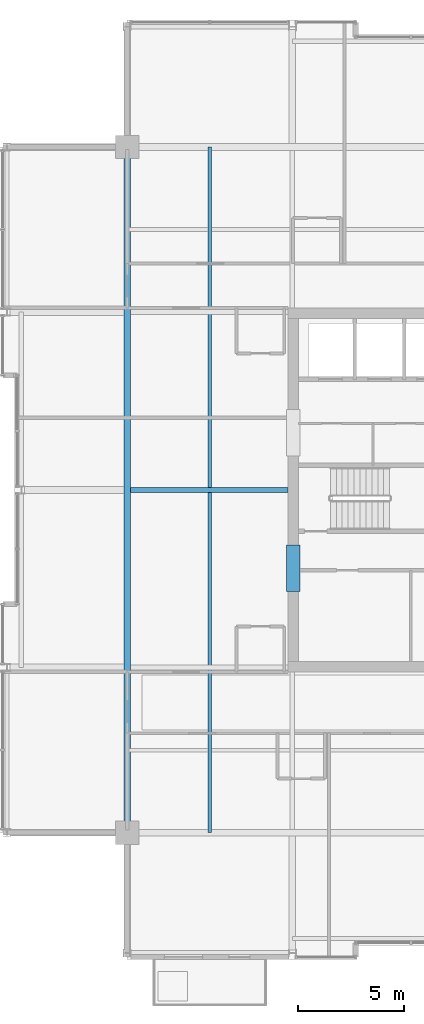
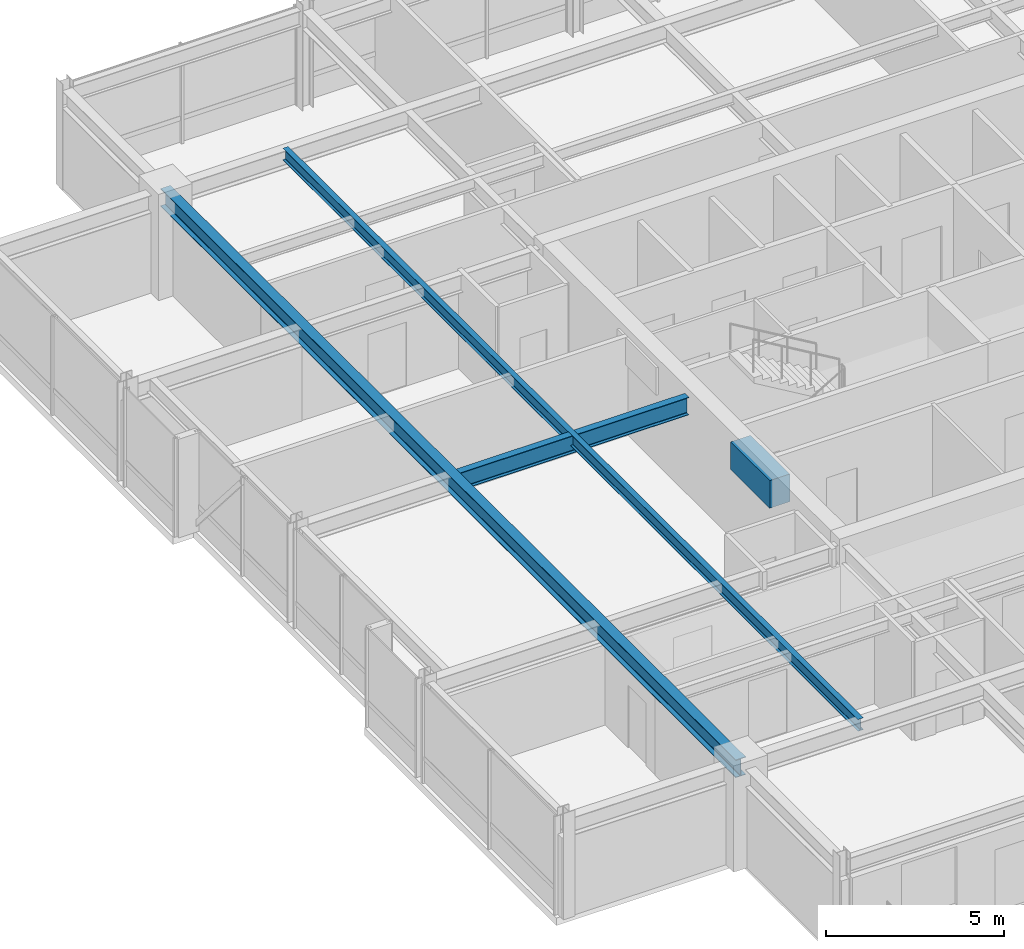
# One storey, part 12 of 34: 4 beams.
"""IFC4 building model written with IfcOpenShell, lengths in metres."""

from ifc_helpers import new_model, si_unit, direction, frame, origin, origin_2d, place, context, subcontext, project, spatial, rectangle, i_section, extrude, material, material_profile, profile_set, type_object, element, save


model = new_model("IFC4")

# Units and contexts
model_context = context("Model", 3, precision=1e-05, world=origin(), true_north=direction((0.0, 1.0)))
body_context = subcontext(model_context, "Body", "Model", "MODEL_VIEW")
ifc_project = project(units=[si_unit("LENGTHUNIT", "METRE"), si_unit("AREAUNIT", "SQUARE_METRE"), si_unit("VOLUMEUNIT", "CUBIC_METRE"), si_unit("PLANEANGLEUNIT", "RADIAN"), si_unit("MASSUNIT", "GRAM", prefix="KILO")], contexts=[model_context])

# Site, building, storey
site_placement = place(None, origin())
site = spatial("IfcSite", under=ifc_project, at=site_placement, CompositionType="ELEMENT")
building_placement = place(site_placement, origin())
building = spatial("IfcBuilding", under=site, at=building_placement, Name="Drelvath Grand Hotel", CompositionType="ELEMENT")
storey_placement = place(building_placement, frame((0.0, 0.0, 286.89990234375)))
storey = spatial("IfcBuildingStorey", under=building, at=storey_placement, Name="L75", CompositionType="ELEMENT", Elevation=286.89990234375)

# Beams
ifc_material_1 = material(Name="Steel ASTM A992 Gr 50", Category="steel")
ifc_material_profile_1 = material_profile(ifc_material_1, i_section(OverallWidth=0.177734375, OverallDepth=0.40673828125, WebThickness=0.0078125, FlangeThickness=0.0126953125, FilletRadius=0.014892578125, at=origin_2d()), Name="W16X40")
ifc_profile_set_1 = profile_set([ifc_material_profile_1], Name="Steel ASTM A992 Gr 50")
beam_type_1 = type_object("IfcBeamType", Name="Composite Floor Joist W16X40", PredefinedType="JOIST", material=ifc_profile_set_1)
beam_1_placement = place(storey_placement, frame((-12.300048828125, 10.800048828125, 3.186767578125), z_axis=(0.0, 1.0, 0.0), x_axis=(-1.0, 0.0, 0.0)))
element("IfcBeam", 1, at=beam_1_placement, inside=storey, type_object=beam_type_1, Name="L75 Wing Floor Joist J3", PredefinedType="JOIST", context=body_context, shape_type="SweptSolid", body=[
    extrude(i_section(OverallWidth=0.177734375, OverallDepth=0.40673828125, WebThickness=0.0078125, FlangeThickness=0.0126953125, FilletRadius=0.014892578125, at=origin_2d()), origin(), (0.0, 0.0, 1.0), 32.39990234375),
])
ifc_material_2 = material(Name="Concrete f'c 55 MPa", Category="concrete")
ifc_material_profile_2 = material_profile(ifc_material_2, rectangle(XDim=0.64990234375, YDim=0.949951171875, at=origin_2d()), Name="CB650X950")
ifc_profile_set_2 = profile_set([ifc_material_profile_2], Name="Concrete f'c 55 MPa")
beam_type_2 = type_object("IfcBeamType", Name="Core Coupling Lintel CB650X950", PredefinedType="LINTEL", material=ifc_profile_set_2)
beam_2_placement = place(storey_placement, frame((-8.35009765625, 22.199951171875, 2.9150390625), z_axis=(0.0, 1.0, 0.0), x_axis=(-1.0, 0.0, 0.0)))
element("IfcBeam", 2, at=beam_2_placement, inside=storey, type_object=beam_type_2, Name="L75 Core Coupling Lintel WS", PredefinedType="LINTEL", context=body_context, shape_type="SweptSolid", body=[
    extrude(rectangle(XDim=0.64990234375, YDim=0.949951171875, at=origin_2d()), origin(), (0.0, 0.0, 1.0), 2.199951171875),
])
ifc_material_profile_3 = material_profile(ifc_material_1, i_section(OverallWidth=0.323974609375, OverallDepth=0.611083984375, WebThickness=0.0126953125, FlangeThickness=0.01904296875, FilletRadius=0.02197265625, at=origin_2d()), Name="W24X104")
ifc_profile_set_3 = profile_set([ifc_material_profile_3], Name="Steel ASTM A992 Gr 50")
beam_type_3 = type_object("IfcBeamType", Name="Primary Floor Girder W24X104", PredefinedType="BEAM", material=ifc_profile_set_3)
beam_3_placement = place(storey_placement, frame((-16.199951171875, 10.800048828125, 3.084716796875), z_axis=(0.0, 1.0, 0.0), x_axis=(-1.0, 0.0, 0.0)))
element("IfcBeam", 3, at=beam_3_placement, inside=storey, type_object=beam_type_3, Name="L75 Mega Ring Girder West", PredefinedType="BEAM", context=body_context, shape_type="SweptSolid", body=[
    extrude(i_section(OverallWidth=0.323974609375, OverallDepth=0.611083984375, WebThickness=0.0126953125, FlangeThickness=0.01904296875, FilletRadius=0.02197265625, at=origin_2d()), origin(), (0.0, 0.0, 1.0), 32.39990234375),
])
ifc_material_profile_4 = material_profile(ifc_material_1, i_section(OverallWidth=0.228271484375, OverallDepth=0.607666015625, WebThickness=0.01123046875, FlangeThickness=0.017333984375, FilletRadius=0.02001953125, at=origin_2d()), Name="W24X76")
ifc_profile_set_4 = profile_set([ifc_material_profile_4], Name="Steel ASTM A992 Gr 50")
beam_type_4 = type_object("IfcBeamType", Name="Primary Floor Girder W24X76", PredefinedType="BEAM", material=ifc_profile_set_4)
beam_4_placement = place(storey_placement, frame((-16.0380859375, 27.0, 3.086181640625), z_axis=(1.0, 0.0, 0.0), x_axis=(0.0, 1.0, 0.0)))
element("IfcBeam", 4, at=beam_4_placement, inside=storey, type_object=beam_type_4, Name="L75 West Core Tie E", PredefinedType="BEAM", context=body_context, shape_type="SweptSolid", body=[
    extrude(i_section(OverallWidth=0.228271484375, OverallDepth=0.607666015625, WebThickness=0.01123046875, FlangeThickness=0.017333984375, FilletRadius=0.02001953125, at=origin_2d()), origin(), (0.0, 0.0, 1.0), 7.43798828125),
])

save(model, "model.ifc")
